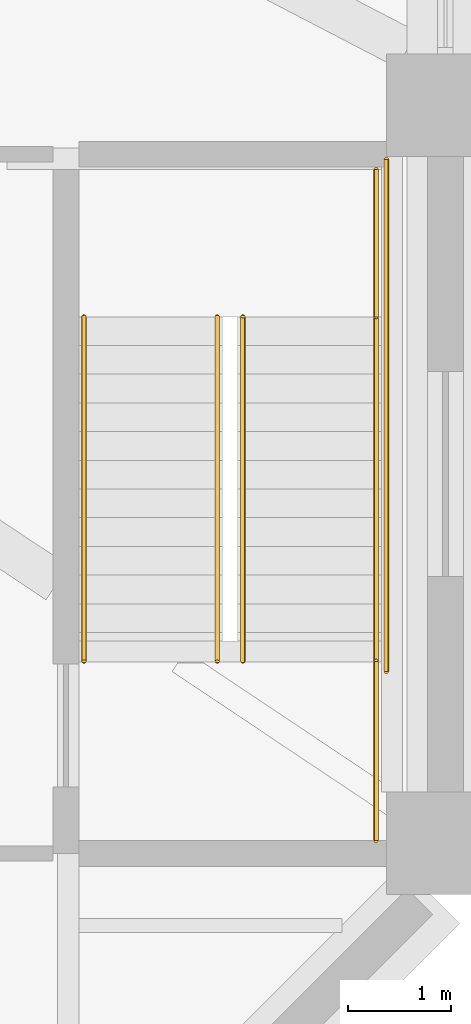
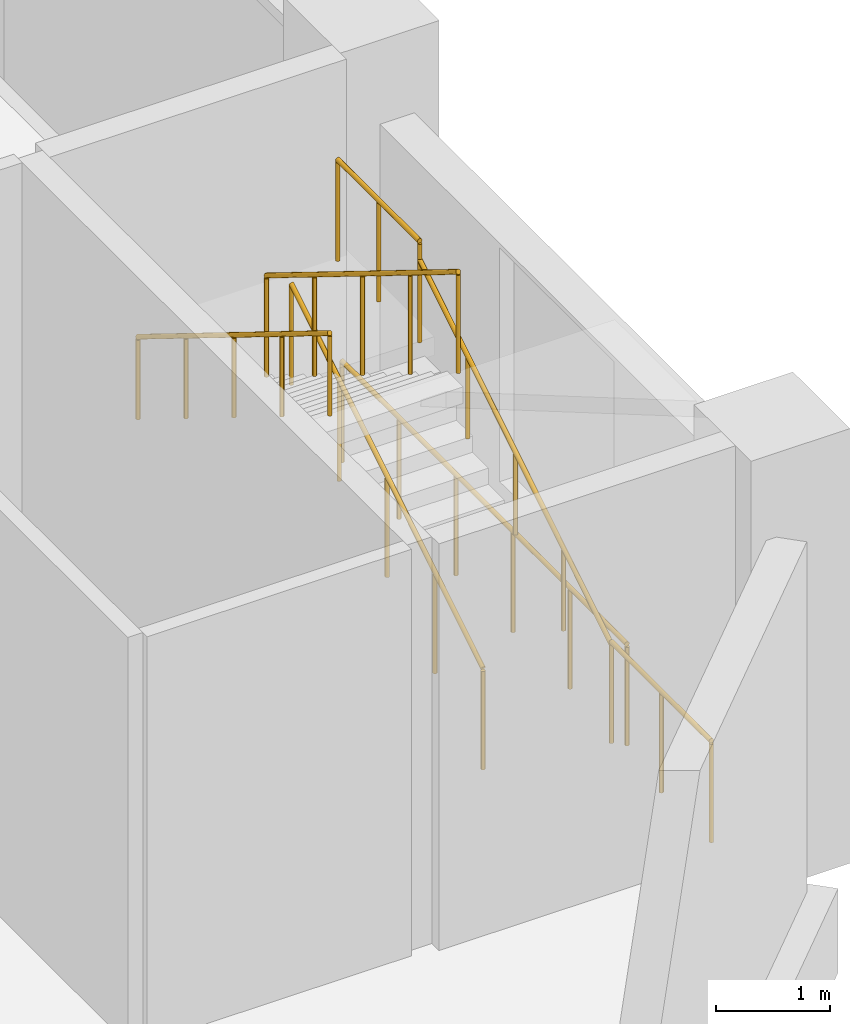
# One storey, part 31 of 33: 7 railings.
"""IFC4 building model written with IfcOpenShell, lengths in metres."""

from ifc_helpers import new_model, si_unit, direction, frame, origin, origin_2d, place, context, subcontext, project, spatial, circle, extrude, material, type_object, element, save


model = new_model("IFC4")

# Units and contexts
model_context = context("Model", 3, precision=1e-05, world=origin(), true_north=direction((0.0, 1.0)))
body_context = subcontext(model_context, "Body", "Model", "MODEL_VIEW")
ifc_project = project(units=[si_unit("LENGTHUNIT", "METRE"), si_unit("AREAUNIT", "SQUARE_METRE"), si_unit("VOLUMEUNIT", "CUBIC_METRE"), si_unit("PLANEANGLEUNIT", "RADIAN"), si_unit("MASSUNIT", "GRAM", prefix="KILO")], contexts=[model_context])

# Site, building, storey
site_placement = place(None, origin())
site = spatial("IfcSite", under=ifc_project, at=site_placement, CompositionType="ELEMENT")
building_placement = place(site_placement, origin())
building = spatial("IfcBuilding", under=site, at=building_placement, Name="Isthmus Gate Tower", CompositionType="ELEMENT")
storey_placement = place(building_placement, frame((0.0, 0.0, 31.5)))
storey = spatial("IfcBuildingStorey", under=building, at=storey_placement, Name="L05", CompositionType="ELEMENT", Elevation=31.5)

# Railings
ifc_material_1 = material(Name="Painted steel balusters with timber handrail", Category="steel")
railing_type_1 = type_object("IfcRailingType", Name="Podium stair guard 1100", PredefinedType="GUARDRAIL", material=ifc_material_1)
railing_1_placement = place(storey_placement, frame((49.60009765625, -32.72509765625, 0.173095703125)))
element("IfcRailing", 1, at=railing_1_placement, inside=storey, type_object=railing_type_1, Name="L05 ST4 stair guard 1", PredefinedType="GUARDRAIL", context=body_context, shape_type="SweptSolid", body=[
    extrude(circle(Radius=0.02392578125, at=origin_2d()), frame((0.0, 0.0, 1.076171875), z_axis=(0.0, 0.850623216509, 0.525775754039), x_axis=(-1.0, 0.0, 0.0)), (0.0, 0.0, 1.0), 3.9501953125),
    extrude(circle(Radius=0.02099609375, at=origin_2d()), origin(), (0.0, 0.0, 1.0), 1.052001953125),
    extrude(circle(Radius=0.02099609375, at=origin_2d()), frame((0.0, 0.840087890625, 0.519287109375)), (0.0, 0.0, 1.0), 1.052001953125),
    extrude(circle(Radius=0.02099609375, at=origin_2d()), frame((0.0, 1.68017578125, 1.03857421875)), (0.0, 0.0, 1.0), 1.052001953125),
    extrude(circle(Radius=0.02099609375, at=origin_2d()), frame((0.0, 2.52001953125, 1.5576171875)), (0.0, 0.0, 1.0), 1.052001953125),
    extrude(circle(Radius=0.02099609375, at=origin_2d()), frame((0.0, 3.360107421875, 2.076904296875)), (0.0, 0.0, 1.0), 1.052001953125),
])
railing_2_placement = place(storey_placement, frame((50.89990234375, -29.364990234375, 2.25)))
element("IfcRailing", 2, at=railing_2_placement, inside=storey, type_object=railing_type_1, Name="L05 ST4 stair guard 2", PredefinedType="GUARDRAIL", context=body_context, shape_type="SweptSolid", body=[
    extrude(circle(Radius=0.02392578125, at=origin_2d()), frame((0.0, 0.0, 1.076171875), z_axis=(0.0, 1.0, 0.0), x_axis=(-1.0, 0.0, 0.0)), (0.0, 0.0, 1.0), 1.43603515625),
    extrude(circle(Radius=0.02099609375, at=origin_2d()), origin(), (0.0, 0.0, 1.0), 1.052001953125),
    extrude(circle(Radius=0.02099609375, at=origin_2d()), frame((0.0, 0.718017578125, 0.0)), (0.0, 0.0, 1.0), 1.052001953125),
    extrude(circle(Radius=0.02099609375, at=origin_2d()), frame((0.0, 1.43603515625, 0.0)), (0.0, 0.0, 1.0), 1.052001953125),
])
railing_3_placement = place(storey_placement, frame((49.35009765625, -29.364990234375, 2.423095703125)))
element("IfcRailing", 3, at=railing_3_placement, inside=storey, type_object=railing_type_1, Name="L05 ST4 stair guard 3", PredefinedType="GUARDRAIL", context=body_context, shape_type="SweptSolid", body=[
    extrude(circle(Radius=0.02392578125, at=origin_2d()), frame((0.0, 0.0, 1.076171875), z_axis=(0.0, -0.850623216509, 0.525775754039), x_axis=(1.0, 0.0, 0.0)), (0.0, 0.0, 1.0), 3.9501953125),
    extrude(circle(Radius=0.02099609375, at=origin_2d()), origin(), (0.0, 0.0, 1.0), 1.052001953125),
    extrude(circle(Radius=0.02099609375, at=origin_2d()), frame((0.0, -0.840087890625, 0.519287109375)), (0.0, 0.0, 1.0), 1.052001953125),
    extrude(circle(Radius=0.02099609375, at=origin_2d()), frame((0.0, -1.68017578125, 1.03857421875)), (0.0, 0.0, 1.0), 1.052001953125),
    extrude(circle(Radius=0.02099609375, at=origin_2d()), frame((0.0, -2.52001953125, 1.5576171875)), (0.0, 0.0, 1.0), 1.052001953125),
    extrude(circle(Radius=0.02099609375, at=origin_2d()), frame((0.0, -3.360107421875, 2.076904296875)), (0.0, 0.0, 1.0), 1.052001953125),
])
railing_4_placement = place(storey_placement, frame((50.89990234375, -34.47509765625, 0.0)))
element("IfcRailing", 4, at=railing_4_placement, inside=storey, type_object=railing_type_1, Name="L05 ST4 stair guard 4", PredefinedType="GUARDRAIL", context=body_context, shape_type="SweptSolid", body=[
    extrude(circle(Radius=0.02392578125, at=origin_2d()), frame((0.0, 0.0, 1.076171875), z_axis=(0.0, 1.0, 0.0), x_axis=(-1.0, 0.0, 0.0)), (0.0, 0.0, 1.0), 1.75),
    extrude(circle(Radius=0.02099609375, at=origin_2d()), origin(), (0.0, 0.0, 1.0), 1.052001953125),
    extrude(circle(Radius=0.02099609375, at=origin_2d()), frame((0.0, 0.875, 0.0)), (0.0, 0.0, 1.0), 1.052001953125),
    extrude(circle(Radius=0.02099609375, at=origin_2d()), frame((0.0, 1.75, 0.0)), (0.0, 0.0, 1.0), 1.052001953125),
])
railing_5_placement = place(storey_placement, frame((51.0, -32.824951171875, 0.0)))
element("IfcRailing", 5, at=railing_5_placement, inside=storey, type_object=railing_type_1, Name="L05 ST4 stair guard 5", PredefinedType="GUARDRAIL", context=body_context, shape_type="SweptSolid", body=[
    extrude(circle(Radius=0.02392578125, at=origin_2d()), frame((0.0, 0.0, 1.076171875), z_axis=(0.0, 1.0, 0.0), x_axis=(-1.0, 0.0, 0.0)), (0.0, 0.0, 1.0), 4.995849609375),
    extrude(circle(Radius=0.02099609375, at=origin_2d()), origin(), (0.0, 0.0, 1.0), 1.052001953125),
    extrude(circle(Radius=0.02099609375, at=origin_2d()), frame((0.0, 0.999267578125, 0.0)), (0.0, 0.0, 1.0), 1.052001953125),
    extrude(circle(Radius=0.02099609375, at=origin_2d()), frame((0.0, 1.998291015625, 0.0)), (0.0, 0.0, 1.0), 1.052001953125),
    extrude(circle(Radius=0.02099609375, at=origin_2d()), frame((0.0, 2.99755859375, 0.0)), (0.0, 0.0, 1.0), 1.052001953125),
    extrude(circle(Radius=0.02099609375, at=origin_2d()), frame((0.0, 3.99658203125, 0.0)), (0.0, 0.0, 1.0), 1.052001953125),
    extrude(circle(Radius=0.02099609375, at=origin_2d()), frame((0.0, 4.995849609375, 0.0)), (0.0, 0.0, 1.0), 1.052001953125),
])
ifc_material_2 = material(Name="Stainless steel tube", Category="steel")
railing_type_2 = type_object("IfcRailingType", Name="Podium stair handrail 900", PredefinedType="HANDRAIL", material=ifc_material_2)
railing_6_placement = place(storey_placement, frame((50.89990234375, -32.72509765625, 0.173095703125)))
element("IfcRailing", 6, at=railing_6_placement, inside=storey, type_object=railing_type_2, Name="L05 ST4 stair handrail 1", PredefinedType="HANDRAIL", context=body_context, shape_type="SweptSolid", body=[
    extrude(circle(Radius=0.02392578125, at=origin_2d()), frame((0.0, 0.0, 0.8759765625), z_axis=(0.0, 0.850623216509, 0.525775754039), x_axis=(-1.0, 0.0, 0.0)), (0.0, 0.0, 1.0), 3.9501953125),
    extrude(circle(Radius=0.02099609375, at=origin_2d()), origin(), (0.0, 0.0, 1.0), 0.851806640625),
    extrude(circle(Radius=0.02099609375, at=origin_2d()), frame((0.0, 0.840087890625, 0.519287109375)), (0.0, 0.0, 1.0), 0.851806640625),
    extrude(circle(Radius=0.02099609375, at=origin_2d()), frame((0.0, 1.68017578125, 1.03857421875)), (0.0, 0.0, 1.0), 0.851806640625),
    extrude(circle(Radius=0.02099609375, at=origin_2d()), frame((0.0, 2.52001953125, 1.5576171875)), (0.0, 0.0, 1.0), 0.851806640625),
    extrude(circle(Radius=0.02099609375, at=origin_2d()), frame((0.0, 3.360107421875, 2.076904296875)), (0.0, 0.0, 1.0), 0.851806640625),
])
railing_7_placement = place(storey_placement, frame((48.050048828125, -29.364990234375, 2.423095703125)))
element("IfcRailing", 7, at=railing_7_placement, inside=storey, type_object=railing_type_2, Name="L05 ST4 stair handrail 2", PredefinedType="HANDRAIL", context=body_context, shape_type="SweptSolid", body=[
    extrude(circle(Radius=0.02392578125, at=origin_2d()), frame((0.0, 0.0, 0.8759765625), z_axis=(0.0, -0.850623216509, 0.525775754039), x_axis=(1.0, 0.0, 0.0)), (0.0, 0.0, 1.0), 3.9501953125),
    extrude(circle(Radius=0.02099609375, at=origin_2d()), origin(), (0.0, 0.0, 1.0), 0.851806640625),
    extrude(circle(Radius=0.02099609375, at=origin_2d()), frame((0.0, -0.840087890625, 0.519287109375)), (0.0, 0.0, 1.0), 0.851806640625),
    extrude(circle(Radius=0.02099609375, at=origin_2d()), frame((0.0, -1.68017578125, 1.03857421875)), (0.0, 0.0, 1.0), 0.851806640625),
    extrude(circle(Radius=0.02099609375, at=origin_2d()), frame((0.0, -2.52001953125, 1.5576171875)), (0.0, 0.0, 1.0), 0.851806640625),
    extrude(circle(Radius=0.02099609375, at=origin_2d()), frame((0.0, -3.360107421875, 2.076904296875)), (0.0, 0.0, 1.0), 0.851806640625),
])

save(model, "model.ifc")
